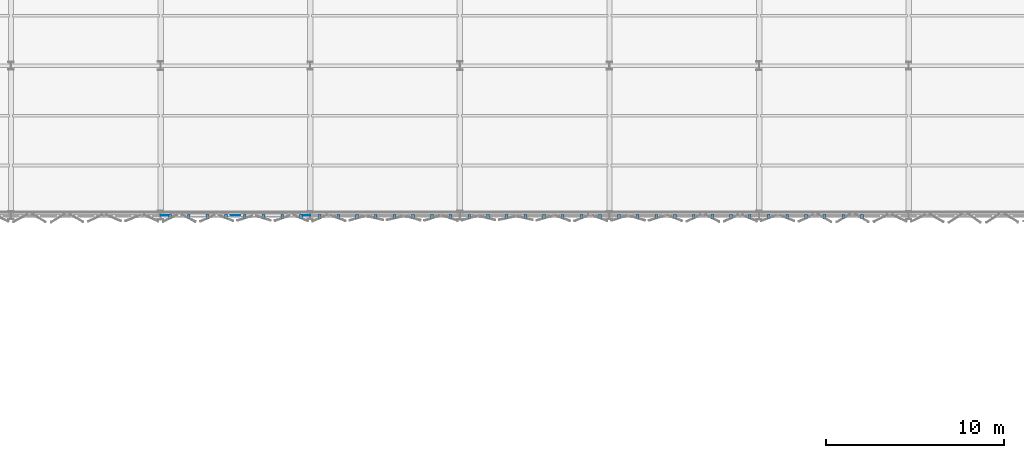
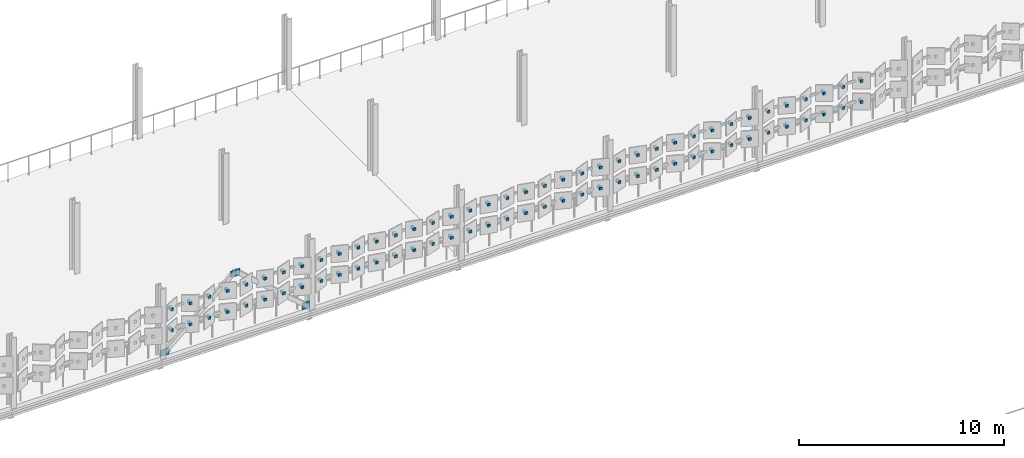
# One storey, part 57 of 69: 79 discrete accessories.
"""IFC4 building model written with IfcOpenShell, lengths in metres."""

from ifc_helpers import new_model, si_unit, direction, frame, origin, origin_2d, place, context, subcontext, project, spatial, rectangle, extrude, material, type_object, element, save


model = new_model("IFC4")

# Units and contexts
model_context = context("Model", 3, precision=1e-05, world=origin(), true_north=direction((0.0, 1.0)))
body_context = subcontext(model_context, "Body", "Model", "MODEL_VIEW")
ifc_project = project(units=[si_unit("LENGTHUNIT", "METRE"), si_unit("AREAUNIT", "SQUARE_METRE"), si_unit("VOLUMEUNIT", "CUBIC_METRE"), si_unit("PLANEANGLEUNIT", "RADIAN"), si_unit("MASSUNIT", "GRAM", prefix="KILO")], contexts=[model_context])

# Site, building, storey
site_placement = place(None, origin())
site = spatial("IfcSite", under=ifc_project, at=site_placement, CompositionType="ELEMENT")
building_placement = place(site_placement, origin())
building = spatial("IfcBuilding", under=site, at=building_placement, Name="Qalvenar Corner Mobility Hub", CompositionType="ELEMENT")
storey_placement = place(building_placement, frame((0.0, 0.0, 13.199951171875)))
storey = spatial("IfcBuildingStorey", under=building, at=storey_placement, Name="L03", CompositionType="ELEMENT", Elevation=13.199951171875)

# Discrete accessories
ifc_material = material(Name="Steel S355", Category="steel")
discrete_accessory_type_1 = type_object("IfcDiscreteAccessoryType", Name="ACC-GUSSET-PLT", PredefinedType="BRACKET", material=ifc_material)
discrete_accessory_placement = place(storey_placement, frame((88.199951171875, 67.199951171875, 3.330078125), z_axis=(0.0, 0.0, 1.0), x_axis=(1.0, 0.0, 0.0)))
element("IfcDiscreteAccessory", 1, at=discrete_accessory_placement, inside=storey, type_object=discrete_accessory_type_1, Name="Chevron Apex Gusset Plate GP-A-040", PredefinedType="BRACKET", context=body_context, shape_type="SweptSolid", body=[
    extrude(rectangle(XDim=0.52001953125, YDim=0.02490234375, at=origin_2d()), origin(), (0.0, 0.0, 1.0), 0.3798828125),
])
for number, where, z_axis, x_axis, name in (
    (2, (84.219970703125, 67.199951171875, 0.0), (0.0, 0.0, 1.0), (1.0, 0.0, 0.0), "Brace Base Gusset Plate GP-B-041"),
    (3, (92.179931640625, 67.199951171875, 0.0), (0.0, 0.0, 1.0), (1.0, 0.0, 0.0), "Brace Base Gusset Plate GP-B-042"),
):
    element("IfcDiscreteAccessory", number, at=place(storey_placement, frame(where, z_axis=z_axis, x_axis=x_axis)), inside=storey, type_object=discrete_accessory_type_1, Name=name, PredefinedType="BRACKET", context=body_context, shape_type="SweptSolid", body=[
        extrude(rectangle(XDim=0.449951171875, YDim=0.02490234375, at=origin_2d()), origin(), (0.0, 0.0, 1.0), 0.39990234375),
    ])
discrete_accessory_type_2 = type_object("IfcDiscreteAccessoryType", Name="ACC-HINGE-BRK", PredefinedType="BRACKET", material=ifc_material)
for number, where, z_axis, x_axis, name in (
    (4, (84.52490234375, 67.1201171875, 1.419921875), (0.0, 0.0, 1.0), (1.0, 0.0, 0.0), "Panel Hinge Bracket BK-L03-0753"),
    (5, (84.52490234375, 67.1201171875, 2.669921875), (0.0, 0.0, 1.0), (1.0, 0.0, 0.0), "Panel Hinge Bracket BK-L03-0754"),
    (6, (85.574951171875, 67.1201171875, 1.419921875), (0.0, 0.0, 1.0), (1.0, 0.0, 0.0), "Panel Hinge Bracket BK-L03-0755"),
    (7, (85.574951171875, 67.1201171875, 2.669921875), (0.0, 0.0, 1.0), (1.0, 0.0, 0.0), "Panel Hinge Bracket BK-L03-0756"),
    (8, (86.625, 67.1201171875, 1.419921875), (0.0, 0.0, 1.0), (1.0, 0.0, 0.0), "Panel Hinge Bracket BK-L03-0757"),
    (9, (86.625, 67.1201171875, 2.669921875), (0.0, 0.0, 1.0), (1.0, 0.0, 0.0), "Panel Hinge Bracket BK-L03-0758"),
    (10, (87.675048828125, 67.1201171875, 1.419921875), (0.0, 0.0, 1.0), (1.0, 0.0, 0.0), "Panel Hinge Bracket BK-L03-0759"),
    (11, (87.675048828125, 67.1201171875, 2.669921875), (0.0, 0.0, 1.0), (1.0, 0.0, 0.0), "Panel Hinge Bracket BK-L03-0760"),
    (12, (88.72509765625, 67.1201171875, 1.419921875), (0.0, 0.0, 1.0), (1.0, 0.0, 0.0), "Panel Hinge Bracket BK-L03-0761"),
    (13, (88.72509765625, 67.1201171875, 2.669921875), (0.0, 0.0, 1.0), (1.0, 0.0, 0.0), "Panel Hinge Bracket BK-L03-0762"),
    (14, (89.77490234375, 67.1201171875, 1.419921875), (0.0, 0.0, 1.0), (1.0, 0.0, 0.0), "Panel Hinge Bracket BK-L03-0763"),
    (15, (89.77490234375, 67.1201171875, 2.669921875), (0.0, 0.0, 1.0), (1.0, 0.0, 0.0), "Panel Hinge Bracket BK-L03-0764"),
    (16, (90.824951171875, 67.1201171875, 1.419921875), (0.0, 0.0, 1.0), (1.0, 0.0, 0.0), "Panel Hinge Bracket BK-L03-0765"),
    (17, (90.824951171875, 67.1201171875, 2.669921875), (0.0, 0.0, 1.0), (1.0, 0.0, 0.0), "Panel Hinge Bracket BK-L03-0766"),
    (18, (91.875, 67.1201171875, 1.419921875), (0.0, 0.0, 1.0), (1.0, 0.0, 0.0), "Panel Hinge Bracket BK-L03-0767"),
    (19, (91.875, 67.1201171875, 2.669921875), (0.0, 0.0, 1.0), (1.0, 0.0, 0.0), "Panel Hinge Bracket BK-L03-0768"),
    (20, (92.925048828125, 67.1201171875, 1.419921875), (0.0, 0.0, 1.0), (1.0, 0.0, 0.0), "Panel Hinge Bracket BK-L03-0769"),
    (21, (92.925048828125, 67.1201171875, 2.669921875), (0.0, 0.0, 1.0), (1.0, 0.0, 0.0), "Panel Hinge Bracket BK-L03-0770"),
    (22, (93.97509765625, 67.1201171875, 1.419921875), (0.0, 0.0, 1.0), (1.0, 0.0, 0.0), "Panel Hinge Bracket BK-L03-0771"),
    (23, (93.97509765625, 67.1201171875, 2.669921875), (0.0, 0.0, 1.0), (1.0, 0.0, 0.0), "Panel Hinge Bracket BK-L03-0772"),
    (24, (95.02490234375, 67.1201171875, 1.419921875), (0.0, 0.0, 1.0), (1.0, 0.0, 0.0), "Panel Hinge Bracket BK-L03-0773"),
    (25, (95.02490234375, 67.1201171875, 2.669921875), (0.0, 0.0, 1.0), (1.0, 0.0, 0.0), "Panel Hinge Bracket BK-L03-0774"),
    (26, (96.074951171875, 67.1201171875, 1.419921875), (0.0, 0.0, 1.0), (1.0, 0.0, 0.0), "Panel Hinge Bracket BK-L03-0775"),
    (27, (96.074951171875, 67.1201171875, 2.669921875), (0.0, 0.0, 1.0), (1.0, 0.0, 0.0), "Panel Hinge Bracket BK-L03-0776"),
    (28, (97.125, 67.1201171875, 1.419921875), (0.0, 0.0, 1.0), (1.0, 0.0, 0.0), "Panel Hinge Bracket BK-L03-0777"),
    (29, (97.125, 67.1201171875, 2.669921875), (0.0, 0.0, 1.0), (1.0, 0.0, 0.0), "Panel Hinge Bracket BK-L03-0778"),
    (30, (98.175048828125, 67.1201171875, 1.419921875), (0.0, 0.0, 1.0), (1.0, 0.0, 0.0), "Panel Hinge Bracket BK-L03-0779"),
    (31, (98.175048828125, 67.1201171875, 2.669921875), (0.0, 0.0, 1.0), (1.0, 0.0, 0.0), "Panel Hinge Bracket BK-L03-0780"),
    (32, (99.22509765625, 67.1201171875, 1.419921875), (0.0, 0.0, 1.0), (1.0, 0.0, 0.0), "Panel Hinge Bracket BK-L03-0781"),
    (33, (99.22509765625, 67.1201171875, 2.669921875), (0.0, 0.0, 1.0), (1.0, 0.0, 0.0), "Panel Hinge Bracket BK-L03-0782"),
    (34, (100.27490234375, 67.1201171875, 1.419921875), (0.0, 0.0, 1.0), (1.0, 0.0, 0.0), "Panel Hinge Bracket BK-L03-0783"),
    (35, (100.27490234375, 67.1201171875, 2.669921875), (0.0, 0.0, 1.0), (1.0, 0.0, 0.0), "Panel Hinge Bracket BK-L03-0784"),
    (36, (101.324951171875, 67.1201171875, 1.419921875), (0.0, 0.0, 1.0), (1.0, 0.0, 0.0), "Panel Hinge Bracket BK-L03-0785"),
    (37, (101.324951171875, 67.1201171875, 2.669921875), (0.0, 0.0, 1.0), (1.0, 0.0, 0.0), "Panel Hinge Bracket BK-L03-0786"),
    (38, (102.375, 67.1201171875, 1.419921875), (0.0, 0.0, 1.0), (1.0, 0.0, 0.0), "Panel Hinge Bracket BK-L03-0787"),
    (39, (102.375, 67.1201171875, 2.669921875), (0.0, 0.0, 1.0), (1.0, 0.0, 0.0), "Panel Hinge Bracket BK-L03-0788"),
    (40, (103.425048828125, 67.1201171875, 1.419921875), (0.0, 0.0, 1.0), (1.0, 0.0, 0.0), "Panel Hinge Bracket BK-L03-0789"),
    (41, (103.425048828125, 67.1201171875, 2.669921875), (0.0, 0.0, 1.0), (1.0, 0.0, 0.0), "Panel Hinge Bracket BK-L03-0790"),
    (42, (104.47509765625, 67.1201171875, 1.419921875), (0.0, 0.0, 1.0), (1.0, 0.0, 0.0), "Panel Hinge Bracket BK-L03-0791"),
    (43, (104.47509765625, 67.1201171875, 2.669921875), (0.0, 0.0, 1.0), (1.0, 0.0, 0.0), "Panel Hinge Bracket BK-L03-0792"),
    (44, (105.52490234375, 67.1201171875, 1.419921875), (0.0, 0.0, 1.0), (1.0, 0.0, 0.0), "Panel Hinge Bracket BK-L03-0793"),
    (45, (105.52490234375, 67.1201171875, 2.669921875), (0.0, 0.0, 1.0), (1.0, 0.0, 0.0), "Panel Hinge Bracket BK-L03-0794"),
    (46, (106.574951171875, 67.1201171875, 1.419921875), (0.0, 0.0, 1.0), (1.0, 0.0, 0.0), "Panel Hinge Bracket BK-L03-0795"),
    (47, (106.574951171875, 67.1201171875, 2.669921875), (0.0, 0.0, 1.0), (1.0, 0.0, 0.0), "Panel Hinge Bracket BK-L03-0796"),
    (48, (107.625, 67.1201171875, 1.419921875), (0.0, 0.0, 1.0), (1.0, 0.0, 0.0), "Panel Hinge Bracket BK-L03-0797"),
    (49, (107.625, 67.1201171875, 2.669921875), (0.0, 0.0, 1.0), (1.0, 0.0, 0.0), "Panel Hinge Bracket BK-L03-0798"),
    (50, (108.675048828125, 67.1201171875, 1.419921875), (0.0, 0.0, 1.0), (1.0, 0.0, 0.0), "Panel Hinge Bracket BK-L03-0799"),
    (51, (108.675048828125, 67.1201171875, 2.669921875), (0.0, 0.0, 1.0), (1.0, 0.0, 0.0), "Panel Hinge Bracket BK-L03-0800"),
    (52, (109.72509765625, 67.1201171875, 1.419921875), (0.0, 0.0, 1.0), (1.0, 0.0, 0.0), "Panel Hinge Bracket BK-L03-0801"),
    (53, (109.72509765625, 67.1201171875, 2.669921875), (0.0, 0.0, 1.0), (1.0, 0.0, 0.0), "Panel Hinge Bracket BK-L03-0802"),
    (54, (110.77490234375, 67.1201171875, 1.419921875), (0.0, 0.0, 1.0), (1.0, 0.0, 0.0), "Panel Hinge Bracket BK-L03-0803"),
    (55, (110.77490234375, 67.1201171875, 2.669921875), (0.0, 0.0, 1.0), (1.0, 0.0, 0.0), "Panel Hinge Bracket BK-L03-0804"),
    (56, (111.824951171875, 67.1201171875, 1.419921875), (0.0, 0.0, 1.0), (1.0, 0.0, 0.0), "Panel Hinge Bracket BK-L03-0805"),
    (57, (111.824951171875, 67.1201171875, 2.669921875), (0.0, 0.0, 1.0), (1.0, 0.0, 0.0), "Panel Hinge Bracket BK-L03-0806"),
    (58, (112.875, 67.1201171875, 1.419921875), (0.0, 0.0, 1.0), (1.0, 0.0, 0.0), "Panel Hinge Bracket BK-L03-0807"),
    (59, (112.875, 67.1201171875, 2.669921875), (0.0, 0.0, 1.0), (1.0, 0.0, 0.0), "Panel Hinge Bracket BK-L03-0808"),
    (60, (113.925048828125, 67.1201171875, 1.419921875), (0.0, 0.0, 1.0), (1.0, 0.0, 0.0), "Panel Hinge Bracket BK-L03-0809"),
    (61, (113.925048828125, 67.1201171875, 2.669921875), (0.0, 0.0, 1.0), (1.0, 0.0, 0.0), "Panel Hinge Bracket BK-L03-0810"),
    (62, (114.97509765625, 67.1201171875, 1.419921875), (0.0, 0.0, 1.0), (1.0, 0.0, 0.0), "Panel Hinge Bracket BK-L03-0811"),
    (63, (114.97509765625, 67.1201171875, 2.669921875), (0.0, 0.0, 1.0), (1.0, 0.0, 0.0), "Panel Hinge Bracket BK-L03-0812"),
    (64, (116.02490234375, 67.1201171875, 1.419921875), (0.0, 0.0, 1.0), (1.0, 0.0, 0.0), "Panel Hinge Bracket BK-L03-0813"),
    (65, (116.02490234375, 67.1201171875, 2.669921875), (0.0, 0.0, 1.0), (1.0, 0.0, 0.0), "Panel Hinge Bracket BK-L03-0814"),
    (66, (117.074951171875, 67.1201171875, 1.419921875), (0.0, 0.0, 1.0), (1.0, 0.0, 0.0), "Panel Hinge Bracket BK-L03-0815"),
    (67, (117.074951171875, 67.1201171875, 2.669921875), (0.0, 0.0, 1.0), (1.0, 0.0, 0.0), "Panel Hinge Bracket BK-L03-0816"),
    (68, (118.125, 67.1201171875, 1.419921875), (0.0, 0.0, 1.0), (1.0, 0.0, 0.0), "Panel Hinge Bracket BK-L03-0817"),
    (69, (118.125, 67.1201171875, 2.669921875), (0.0, 0.0, 1.0), (1.0, 0.0, 0.0), "Panel Hinge Bracket BK-L03-0818"),
    (70, (119.175048828125, 67.1201171875, 1.419921875), (0.0, 0.0, 1.0), (1.0, 0.0, 0.0), "Panel Hinge Bracket BK-L03-0819"),
    (71, (119.175048828125, 67.1201171875, 2.669921875), (0.0, 0.0, 1.0), (1.0, 0.0, 0.0), "Panel Hinge Bracket BK-L03-0820"),
    (72, (120.22509765625, 67.1201171875, 1.419921875), (0.0, 0.0, 1.0), (1.0, 0.0, 0.0), "Panel Hinge Bracket BK-L03-0821"),
    (73, (120.22509765625, 67.1201171875, 2.669921875), (0.0, 0.0, 1.0), (1.0, 0.0, 0.0), "Panel Hinge Bracket BK-L03-0822"),
    (74, (121.27490234375, 67.1201171875, 1.419921875), (0.0, 0.0, 1.0), (1.0, 0.0, 0.0), "Panel Hinge Bracket BK-L03-0823"),
    (75, (121.27490234375, 67.1201171875, 2.669921875), (0.0, 0.0, 1.0), (1.0, 0.0, 0.0), "Panel Hinge Bracket BK-L03-0824"),
    (76, (122.324951171875, 67.1201171875, 1.419921875), (0.0, 0.0, 1.0), (1.0, 0.0, 0.0), "Panel Hinge Bracket BK-L03-0825"),
    (77, (122.324951171875, 67.1201171875, 2.669921875), (0.0, 0.0, 1.0), (1.0, 0.0, 0.0), "Panel Hinge Bracket BK-L03-0826"),
    (78, (123.375, 67.1201171875, 1.419921875), (0.0, 0.0, 1.0), (1.0, 0.0, 0.0), "Panel Hinge Bracket BK-L03-0827"),
    (79, (123.375, 67.1201171875, 2.669921875), (0.0, 0.0, 1.0), (1.0, 0.0, 0.0), "Panel Hinge Bracket BK-L03-0828"),
):
    element("IfcDiscreteAccessory", number, at=place(storey_placement, frame(where, z_axis=z_axis, x_axis=x_axis)), inside=storey, type_object=discrete_accessory_type_2, Name=name, PredefinedType="BRACKET", context=body_context, shape_type="SweptSolid", body=[
        extrude(rectangle(XDim=0.159912109375, YDim=0.260009765625, at=origin_2d()), origin(), (0.0, 0.0, 1.0), 0.159912109375),
    ])

save(model, "model.ifc")
